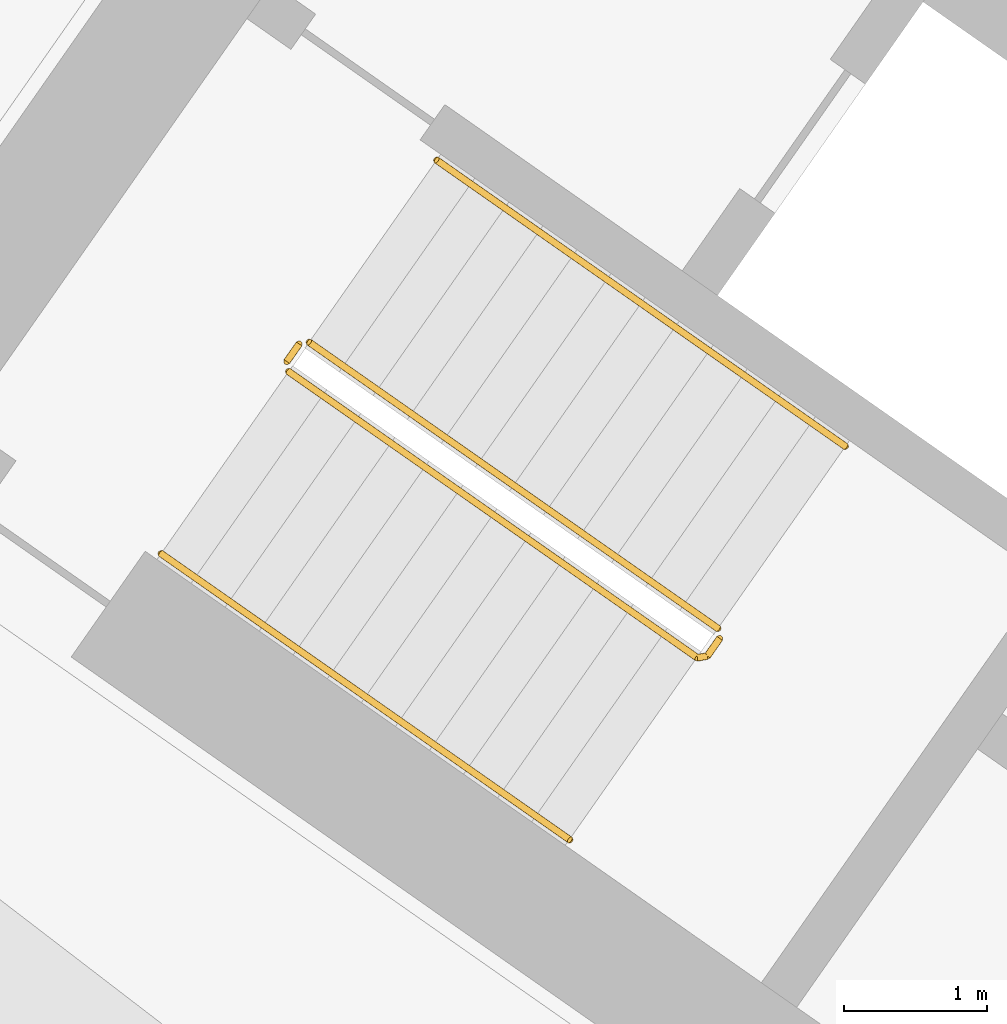
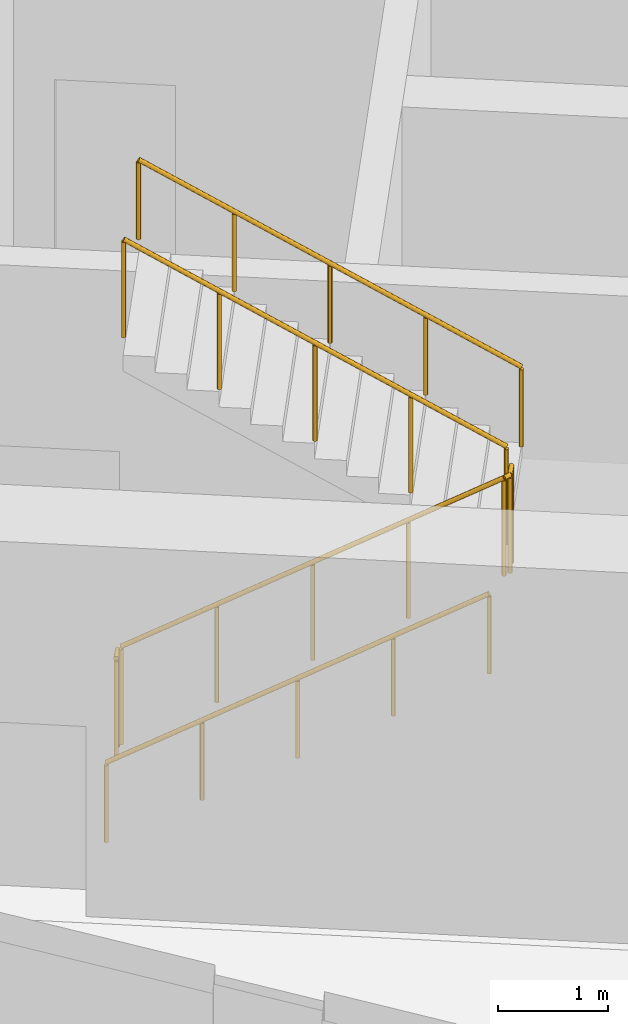
# One storey, part 15 of 20: 5 railings.
"""IFC4 building model written with IfcOpenShell, lengths in metres."""

from ifc_helpers import new_model, si_unit, direction, frame, origin, origin_2d, place, context, subcontext, project, spatial, circle, extrude, material, type_object, element, save


model = new_model("IFC4")

# Units and contexts
model_context = context("Model", 3, precision=1e-05, world=origin(), true_north=direction((0.0, 1.0)))
body_context = subcontext(model_context, "Body", "Model", "MODEL_VIEW")
ifc_project = project(units=[si_unit("LENGTHUNIT", "METRE"), si_unit("AREAUNIT", "SQUARE_METRE"), si_unit("VOLUMEUNIT", "CUBIC_METRE"), si_unit("PLANEANGLEUNIT", "RADIAN"), si_unit("MASSUNIT", "GRAM", prefix="KILO")], contexts=[model_context])

# Site, building, storey
site_placement = place(None, origin())
site = spatial("IfcSite", under=ifc_project, at=site_placement, CompositionType="ELEMENT")
building_placement = place(site_placement, origin())
building = spatial("IfcBuilding", under=site, at=building_placement, Name="Qamariyya Broadcast Tower", CompositionType="ELEMENT")
storey_placement = place(building_placement, frame((0.0, 0.0, 31.5)))
storey = spatial("IfcBuildingStorey", under=building, at=storey_placement, Name="L04", CompositionType="ELEMENT", Elevation=31.5)

# Railings
ifc_material_1 = material(Name="Painted steel", Category="steel")
railing_type_1 = type_object("IfcRailingType", Name="Stair guard", PredefinedType="GUARDRAIL", material=ifc_material_1)
railing_1_placement = place(storey_placement, frame((-46.624267578125, -56.34765625, 0.173095703125)))
element("IfcRailing", 1, at=railing_1_placement, inside=storey, type_object=railing_type_1, Name="L04 ST-W1 stair guard 1", PredefinedType="GUARDRAIL", context=body_context, shape_type="SweptSolid", body=[
    extrude(circle(Radius=0.02392578125, at=origin_2d()), frame((0.0, 0.0, 1.076171875), z_axis=(0.703392637411, -0.492543525477, 0.512483827206), x_axis=(0.573594173421, 0.819139624372, 0.0)), (0.0, 0.0, 1.0), 4.052734375),
    extrude(circle(Radius=0.02392578125, at=origin_2d()), frame((2.8505859375, -1.99609375, 3.15283203125), z_axis=(0.984957024646, 0.172799478008, 0.0), x_axis=(-0.172799478008, 0.984957024646, 0.0)), (0.0, 0.0, 1.0), 0.070556640625),
    extrude(circle(Radius=0.02392578125, at=origin_2d()), frame((2.920166015625, -1.98388671875, 3.15283203125), z_axis=(0.574444878118, 0.818543268254, 0.0), x_axis=(-0.818543268254, 0.574444878118, 0.0)), (0.0, 0.0, 1.0), 0.150146484375),
    extrude(circle(Radius=0.02099609375, at=origin_2d()), origin(), (0.0, 0.0, 1.0), 1.052001953125),
    extrude(circle(Radius=0.02099609375, at=origin_2d()), frame((0.712646484375, -0.4990234375, 0.519287109375)), (0.0, 0.0, 1.0), 1.052001953125),
    extrude(circle(Radius=0.02099609375, at=origin_2d()), frame((1.42529296875, -0.998046875, 1.03857421875)), (0.0, 0.0, 1.0), 1.052001953125),
    extrude(circle(Radius=0.02099609375, at=origin_2d()), frame((2.137939453125, -1.4970703125, 1.5576171875)), (0.0, 0.0, 1.0), 1.052001953125),
    extrude(circle(Radius=0.02099609375, at=origin_2d()), frame((2.8505859375, -1.99609375, 2.076904296875)), (0.0, 0.0, 1.0), 1.052001953125),
    extrude(circle(Radius=0.02099609375, at=origin_2d()), frame((2.920166015625, -1.98388671875, 2.076904296875)), (0.0, 0.0, 1.0), 1.052001953125),
    extrude(circle(Radius=0.02099609375, at=origin_2d()), frame((3.00634765625, -1.861083984375, 2.076904296875)), (0.0, 0.0, 1.0), 1.052001953125),
])
railing_2_placement = place(storey_placement, frame((-43.63037109375, -58.138916015625, 2.423095703125)))
element("IfcRailing", 2, at=railing_2_placement, inside=storey, type_object=railing_type_1, Name="L04 ST-W1 stair guard 2", PredefinedType="GUARDRAIL", context=body_context, shape_type="SweptSolid", body=[
    extrude(circle(Radius=0.02392578125, at=origin_2d()), frame((0.0, 0.0, 1.076171875), z_axis=(-0.703413508203, 0.492497895646, 0.512499033426), x_axis=(-0.57354709673, -0.81917258733, 0.0)), (0.0, 0.0, 1.0), 4.052490234375),
    extrude(circle(Radius=0.02099609375, at=origin_2d()), origin(), (0.0, 0.0, 1.0), 1.052001953125),
    extrude(circle(Radius=0.02099609375, at=origin_2d()), frame((-0.712646484375, 0.4990234375, 0.519287109375)), (0.0, 0.0, 1.0), 1.052001953125),
    extrude(circle(Radius=0.02099609375, at=origin_2d()), frame((-1.42529296875, 0.998046875, 1.03857421875)), (0.0, 0.0, 1.0), 1.052001953125),
    extrude(circle(Radius=0.02099609375, at=origin_2d()), frame((-2.137939453125, 1.496826171875, 1.5576171875)), (0.0, 0.0, 1.0), 1.052001953125),
    extrude(circle(Radius=0.02099609375, at=origin_2d()), frame((-2.8505859375, 1.995849609375, 2.076904296875)), (0.0, 0.0, 1.0), 1.052001953125),
])
railing_3_placement = place(storey_placement, frame((-46.63671875, -56.278076171875, 0.0)))
element("IfcRailing", 3, at=railing_3_placement, inside=storey, type_object=railing_type_1, Name="L04 ST-W1 stair guard 3", PredefinedType="GUARDRAIL", context=body_context, shape_type="SweptSolid", body=[
    extrude(circle(Radius=0.02392578125, at=origin_2d()), frame((0.0, 0.0, 1.076171875), z_axis=(0.574444878118, 0.818543268254, 0.0), x_axis=(-0.818543268254, 0.574444878118, 0.0)), (0.0, 0.0, 1.0), 0.150146484375),
    extrude(circle(Radius=0.02099609375, at=origin_2d()), origin(), (0.0, 0.0, 1.0), 1.052001953125),
    extrude(circle(Radius=0.02099609375, at=origin_2d()), frame((0.086181640625, 0.122802734375, 0.0)), (0.0, 0.0, 1.0), 1.052001953125),
])
ifc_material_2 = material(Name="Stainless steel", Category="steel")
railing_type_2 = type_object("IfcRailingType", Name="Stair handrail", PredefinedType="HANDRAIL", material=ifc_material_2)
railing_4_placement = place(storey_placement, frame((-47.513427734375, -57.617431640625, 0.173095703125)))
element("IfcRailing", 4, at=railing_4_placement, inside=storey, type_object=railing_type_2, Name="L04 ST-W1 stair handrail 1", PredefinedType="HANDRAIL", context=body_context, shape_type="SweptSolid", body=[
    extrude(circle(Radius=0.02392578125, at=origin_2d()), frame((0.0, 0.0, 0.8759765625), z_axis=(0.703423072377, -0.49252265477, 0.512462111562), x_axis=(0.573561211868, 0.819162704376, 0.0)), (0.0, 0.0, 1.0), 4.052734375),
    extrude(circle(Radius=0.02099609375, at=origin_2d()), origin(), (0.0, 0.0, 1.0), 0.851806640625),
    extrude(circle(Radius=0.02099609375, at=origin_2d()), frame((0.712646484375, -0.4990234375, 0.519287109375)), (0.0, 0.0, 1.0), 0.851806640625),
    extrude(circle(Radius=0.02099609375, at=origin_2d()), frame((1.42529296875, -0.998046875, 1.03857421875)), (0.0, 0.0, 1.0), 0.851806640625),
    extrude(circle(Radius=0.02099609375, at=origin_2d()), frame((2.13818359375, -1.4970703125, 1.5576171875)), (0.0, 0.0, 1.0), 0.851806640625),
    extrude(circle(Radius=0.02099609375, at=origin_2d()), frame((2.850830078125, -1.99609375, 2.076904296875)), (0.0, 0.0, 1.0), 0.851806640625),
])
railing_5_placement = place(storey_placement, frame((-42.7412109375, -56.869384765625, 2.423095703125)))
element("IfcRailing", 5, at=railing_5_placement, inside=storey, type_object=railing_type_2, Name="L04 ST-W1 stair handrail 2", PredefinedType="HANDRAIL", context=body_context, shape_type="SweptSolid", body=[
    extrude(circle(Radius=0.02392578125, at=origin_2d()), frame((0.0, 0.0, 0.8759765625), z_axis=(-0.703392637411, 0.492543525477, 0.512483827206), x_axis=(-0.573594173421, -0.819139624372, 0.0)), (0.0, 0.0, 1.0), 4.052734375),
    extrude(circle(Radius=0.02099609375, at=origin_2d()), origin(), (0.0, 0.0, 1.0), 0.851806640625),
    extrude(circle(Radius=0.02099609375, at=origin_2d()), frame((-0.712646484375, 0.4990234375, 0.519287109375)), (0.0, 0.0, 1.0), 0.851806640625),
    extrude(circle(Radius=0.02099609375, at=origin_2d()), frame((-1.42529296875, 0.998046875, 1.03857421875)), (0.0, 0.0, 1.0), 0.851806640625),
    extrude(circle(Radius=0.02099609375, at=origin_2d()), frame((-2.137939453125, 1.4970703125, 1.5576171875)), (0.0, 0.0, 1.0), 0.851806640625),
    extrude(circle(Radius=0.02099609375, at=origin_2d()), frame((-2.8505859375, 1.99609375, 2.076904296875)), (0.0, 0.0, 1.0), 0.851806640625),
])

save(model, "model.ifc")
